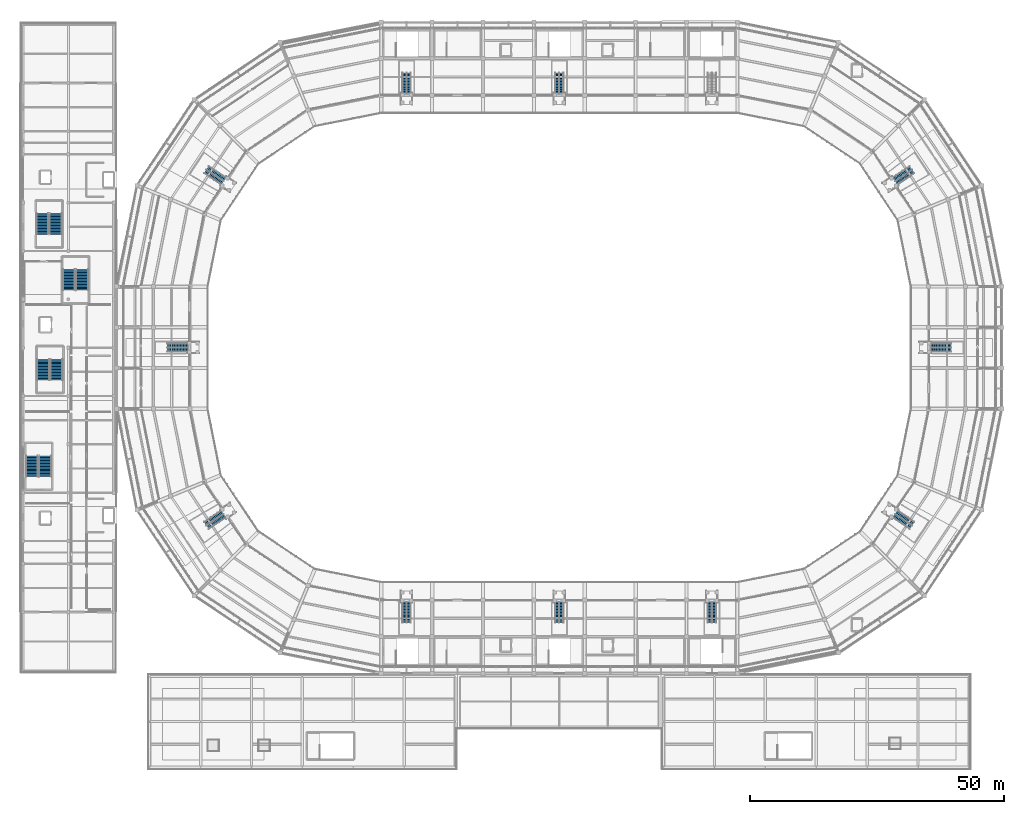
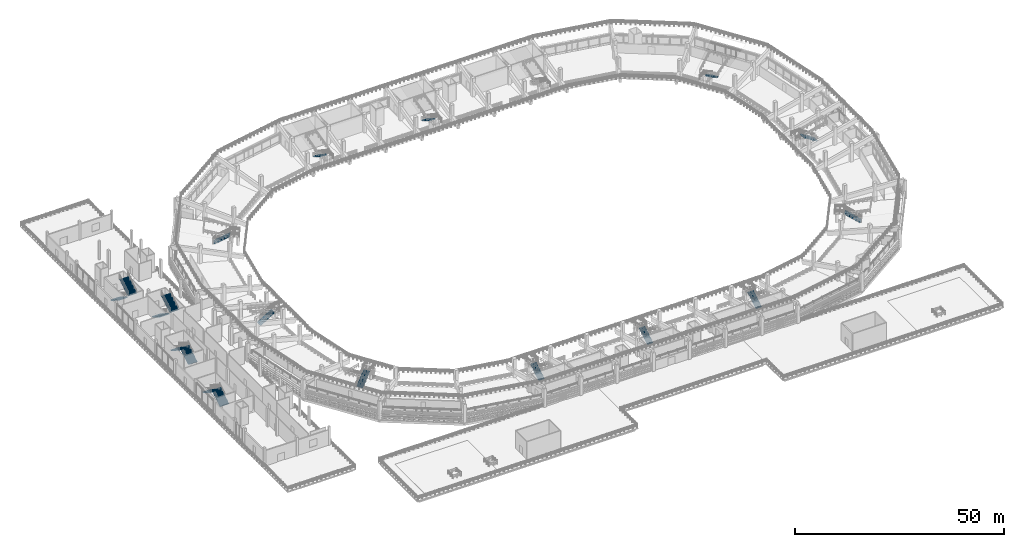
# One storey, part 69 of 96: 19 stair flights, 15 elements without a shape of their own.
"""IFC4 building model written with IfcOpenShell, lengths in metres."""

from ifc_helpers import new_model, si_unit, direction, frame, origin, place, context, subcontext, project, spatial, polyline, outline, extrude, material, type_object, element, aggregate, save


model = new_model("IFC4")

# Units and contexts
model_context = context("Model", 3, precision=1e-05, world=origin(), true_north=direction((0.0, 1.0)))
body_context = subcontext(model_context, "Body", "Model", "MODEL_VIEW")
ifc_project = project(units=[si_unit("LENGTHUNIT", "METRE"), si_unit("AREAUNIT", "SQUARE_METRE"), si_unit("VOLUMEUNIT", "CUBIC_METRE"), si_unit("PLANEANGLEUNIT", "RADIAN"), si_unit("MASSUNIT", "GRAM", prefix="KILO")], contexts=[model_context])

# Site, building, storey
site_placement = place(None, origin())
site = spatial("IfcSite", under=ifc_project, at=site_placement, CompositionType="ELEMENT")
building_placement = place(site_placement, origin())
building = spatial("IfcBuilding", under=site, at=building_placement, Name="Candeia Ridge Stadium", CompositionType="ELEMENT")
storey_placement = place(building_placement, frame((0.0, 0.0, 21.60009765625)))
storey = spatial("IfcBuildingStorey", under=building, at=storey_placement, Name="L04", CompositionType="ELEMENT", Elevation=21.60009765625)

# Stair, stair flights
ifc_material_1 = material(Name="Concrete C40/50", Category="concrete")
stair_type_1 = type_object("IfcStairType", Name="Enclosed Core Half-Turn Stair 2450", PredefinedType="HALF_TURN_STAIR", material=ifc_material_1)
stair_1_placement = place(storey_placement, origin())
stair_1 = element("IfcStair", 1, at=stair_1_placement, inside=storey, type_object=stair_type_1, Name="L04 Enclosed exit stair ST05", PredefinedType="HALF_TURN_STAIR")
ifc_material_2 = material(Name="Precast concrete C40/50", Category="concrete")
stair_flight_type_1 = type_object("IfcStairFlightType", Name="Core Precast Stair Flight 2450", PredefinedType="STRAIGHT", material=ifc_material_2)
stair_flight_1_placement = place(storey_placement, frame((4.97509765625, 57.64990234375, 0.0), z_axis=(0.0, 0.0, 1.0), x_axis=(0.0, 1.0, 0.0)))
stair_flight_1 = element("IfcStairFlight", 2, at=stair_flight_1_placement, type_object=stair_flight_type_1, Name="ST05 flight 1", NumberOfRisers=15, NumberOfTreads=14, PredefinedType="STRAIGHT", RiserHeight=0.18, TreadLength=0.29, context=body_context, shape_type="SweptSolid", body=[
    extrude(outline(polyline([(0.0, 0.0), (0.0, 0.179931640625), (0.2900390625, 0.179931640625), (0.2900390625, 0.360107421875), (0.580078125, 0.360107421875), (0.580078125, 0.5400390625), (0.8701171875, 0.5400390625), (0.8701171875, 0.719970703125), (1.159912109375, 0.719970703125), (1.159912109375, 0.89990234375), (1.449951171875, 0.89990234375), (1.449951171875, 1.080078125), (1.739990234375, 1.080078125), (1.739990234375, 1.260009765625), (2.030029296875, 1.260009765625), (2.030029296875, 1.43994140625), (2.320068359375, 1.43994140625), (2.320068359375, 1.6201171875), (2.610107421875, 1.6201171875), (2.610107421875, 1.800048828125), (2.89990234375, 1.800048828125), (2.89990234375, 1.97998046875), (3.18994140625, 1.97998046875), (3.18994140625, 2.159912109375), (3.47998046875, 2.159912109375), (3.47998046875, 2.340087890625), (3.77001953125, 2.340087890625), (3.77001953125, 2.52001953125), (4.06005859375, 2.52001953125), (4.06005859375, 2.699951171875), (4.06005859375, 2.331787109375), (0.30322265625, 0.0), (0.0, 0.0)])), frame((0.0, 1.22509765625, 0.0), z_axis=(0.0, -1.0, 0.0), x_axis=(1.0, 0.0, 0.0)), (0.0, 0.0, 1.0), 2.449951171875),
])
stair_flight_2_placement = place(storey_placement, frame((2.375, 61.7099609375, 2.699951171875), z_axis=(0.0, 0.0, 1.0), x_axis=(0.0, -1.0, 0.0)))
stair_flight_2 = element("IfcStairFlight", 3, at=stair_flight_2_placement, type_object=stair_flight_type_1, Name="ST05 flight 2", NumberOfRisers=15, NumberOfTreads=14, PredefinedType="STRAIGHT", RiserHeight=0.18, TreadLength=0.29, context=body_context, shape_type="SweptSolid", body=[
    extrude(outline(polyline([(0.0, 0.0), (0.0, 0.179931640625), (0.2900390625, 0.179931640625), (0.2900390625, 0.360107421875), (0.580078125, 0.360107421875), (0.580078125, 0.5400390625), (0.8701171875, 0.5400390625), (0.8701171875, 0.719970703125), (1.159912109375, 0.719970703125), (1.159912109375, 0.89990234375), (1.449951171875, 0.89990234375), (1.449951171875, 1.080078125), (1.739990234375, 1.080078125), (1.739990234375, 1.260009765625), (2.030029296875, 1.260009765625), (2.030029296875, 1.43994140625), (2.320068359375, 1.43994140625), (2.320068359375, 1.6201171875), (2.610107421875, 1.6201171875), (2.610107421875, 1.800048828125), (2.89990234375, 1.800048828125), (2.89990234375, 1.97998046875), (3.18994140625, 1.97998046875), (3.18994140625, 2.159912109375), (3.47998046875, 2.159912109375), (3.47998046875, 2.340087890625), (3.77001953125, 2.340087890625), (3.77001953125, 2.52001953125), (4.06005859375, 2.52001953125), (4.06005859375, 2.699951171875), (4.06005859375, 2.331787109375), (0.30322265625, 0.0), (0.0, 0.0)])), frame((0.0, 1.22509765625, 0.0), z_axis=(0.0, -1.0, 0.0), x_axis=(1.0, 0.0, 0.0)), (0.0, 0.0, 1.0), 2.449951171875),
])
aggregate(stair_1, [stair_flight_1, stair_flight_2])

stair_2_placement = place(storey_placement, origin())
stair_2 = element("IfcStair", 4, at=stair_2_placement, inside=storey, type_object=stair_type_1, Name="L04 Enclosed exit stair ST06", PredefinedType="HALF_TURN_STAIR")
stair_flight_3_placement = place(storey_placement, frame((4.425048828125, 109.35009765625, 0.0), z_axis=(0.0, 0.0, 1.0), x_axis=(0.0, -1.0, 0.0)))
stair_flight_3 = element("IfcStairFlight", 5, at=stair_flight_3_placement, type_object=stair_flight_type_1, Name="ST06 flight 1", NumberOfRisers=15, NumberOfTreads=14, PredefinedType="STRAIGHT", RiserHeight=0.18, TreadLength=0.29, context=body_context, shape_type="SweptSolid", body=[
    extrude(outline(polyline([(0.0, 0.0), (0.0, 0.179931640625), (0.2900390625, 0.179931640625), (0.2900390625, 0.360107421875), (0.580078125, 0.360107421875), (0.580078125, 0.5400390625), (0.8701171875, 0.5400390625), (0.8701171875, 0.719970703125), (1.159912109375, 0.719970703125), (1.159912109375, 0.89990234375), (1.449951171875, 0.89990234375), (1.449951171875, 1.080078125), (1.739990234375, 1.080078125), (1.739990234375, 1.260009765625), (2.030029296875, 1.260009765625), (2.030029296875, 1.43994140625), (2.320068359375, 1.43994140625), (2.320068359375, 1.6201171875), (2.610107421875, 1.6201171875), (2.610107421875, 1.800048828125), (2.89990234375, 1.800048828125), (2.89990234375, 1.97998046875), (3.18994140625, 1.97998046875), (3.18994140625, 2.159912109375), (3.47998046875, 2.159912109375), (3.47998046875, 2.340087890625), (3.77001953125, 2.340087890625), (3.77001953125, 2.52001953125), (4.06005859375, 2.52001953125), (4.06005859375, 2.699951171875), (4.06005859375, 2.331787109375), (0.30322265625, 0.0), (0.0, 0.0)])), frame((0.0, 1.22509765625, 0.0), z_axis=(0.0, -1.0, 0.0), x_axis=(1.0, 0.0, 0.0)), (0.0, 0.0, 1.0), 2.449951171875),
])
stair_flight_4_placement = place(storey_placement, frame((7.02490234375, 105.2900390625, 2.699951171875), z_axis=(0.0, 0.0, 1.0), x_axis=(0.0, 1.0, 0.0)))
stair_flight_4 = element("IfcStairFlight", 6, at=stair_flight_4_placement, type_object=stair_flight_type_1, Name="ST06 flight 2", NumberOfRisers=15, NumberOfTreads=14, PredefinedType="STRAIGHT", RiserHeight=0.18, TreadLength=0.29, context=body_context, shape_type="SweptSolid", body=[
    extrude(outline(polyline([(0.0, 0.0), (0.0, 0.179931640625), (0.2900390625, 0.179931640625), (0.2900390625, 0.360107421875), (0.580078125, 0.360107421875), (0.580078125, 0.5400390625), (0.8701171875, 0.5400390625), (0.8701171875, 0.719970703125), (1.159912109375, 0.719970703125), (1.159912109375, 0.89990234375), (1.449951171875, 0.89990234375), (1.449951171875, 1.080078125), (1.739990234375, 1.080078125), (1.739990234375, 1.260009765625), (2.030029296875, 1.260009765625), (2.030029296875, 1.43994140625), (2.320068359375, 1.43994140625), (2.320068359375, 1.6201171875), (2.610107421875, 1.6201171875), (2.610107421875, 1.800048828125), (2.89990234375, 1.800048828125), (2.89990234375, 1.97998046875), (3.18994140625, 1.97998046875), (3.18994140625, 2.159912109375), (3.47998046875, 2.159912109375), (3.47998046875, 2.340087890625), (3.77001953125, 2.340087890625), (3.77001953125, 2.52001953125), (4.06005859375, 2.52001953125), (4.06005859375, 2.699951171875), (4.06005859375, 2.331787109375), (0.30322265625, 0.0), (0.0, 0.0)])), frame((0.0, 1.22509765625, 0.0), z_axis=(0.0, -1.0, 0.0), x_axis=(1.0, 0.0, 0.0)), (0.0, 0.0, 1.0), 2.449951171875),
])
aggregate(stair_2, [stair_flight_3, stair_flight_4])

stair_3_placement = place(storey_placement, origin())
stair_3 = element("IfcStair", 7, at=stair_3_placement, inside=storey, type_object=stair_type_1, Name="L04 Enclosed exit stair ST07", PredefinedType="HALF_TURN_STAIR")
stair_flight_5_placement = place(storey_placement, frame((7.175048828125, 76.64990234375, 0.0), z_axis=(0.0, 0.0, 1.0), x_axis=(0.0, 1.0, 0.0)))
stair_flight_5 = element("IfcStairFlight", 8, at=stair_flight_5_placement, type_object=stair_flight_type_1, Name="ST07 flight 1", NumberOfRisers=15, NumberOfTreads=14, PredefinedType="STRAIGHT", RiserHeight=0.18, TreadLength=0.29, context=body_context, shape_type="SweptSolid", body=[
    extrude(outline(polyline([(0.0, 0.0), (0.0, 0.179931640625), (0.2900390625, 0.179931640625), (0.2900390625, 0.360107421875), (0.580078125, 0.360107421875), (0.580078125, 0.5400390625), (0.8701171875, 0.5400390625), (0.8701171875, 0.719970703125), (1.159912109375, 0.719970703125), (1.159912109375, 0.89990234375), (1.449951171875, 0.89990234375), (1.449951171875, 1.080078125), (1.739990234375, 1.080078125), (1.739990234375, 1.260009765625), (2.030029296875, 1.260009765625), (2.030029296875, 1.43994140625), (2.320068359375, 1.43994140625), (2.320068359375, 1.6201171875), (2.610107421875, 1.6201171875), (2.610107421875, 1.800048828125), (2.89990234375, 1.800048828125), (2.89990234375, 1.97998046875), (3.18994140625, 1.97998046875), (3.18994140625, 2.159912109375), (3.47998046875, 2.159912109375), (3.47998046875, 2.340087890625), (3.77001953125, 2.340087890625), (3.77001953125, 2.52001953125), (4.06005859375, 2.52001953125), (4.06005859375, 2.699951171875), (4.06005859375, 2.331787109375), (0.30322265625, 0.0), (0.0, 0.0)])), frame((0.0, 1.22509765625, 0.0), z_axis=(0.0, -1.0, 0.0), x_axis=(1.0, 0.0, 0.0)), (0.0, 0.0, 1.0), 2.449951171875),
])
stair_flight_6_placement = place(storey_placement, frame((4.574951171875, 80.7099609375, 2.699951171875), z_axis=(0.0, 0.0, 1.0), x_axis=(0.0, -1.0, 0.0)))
stair_flight_6 = element("IfcStairFlight", 9, at=stair_flight_6_placement, type_object=stair_flight_type_1, Name="ST07 flight 2", NumberOfRisers=15, NumberOfTreads=14, PredefinedType="STRAIGHT", RiserHeight=0.18, TreadLength=0.29, context=body_context, shape_type="SweptSolid", body=[
    extrude(outline(polyline([(0.0, 0.0), (0.0, 0.179931640625), (0.2900390625, 0.179931640625), (0.2900390625, 0.360107421875), (0.580078125, 0.360107421875), (0.580078125, 0.5400390625), (0.8701171875, 0.5400390625), (0.8701171875, 0.719970703125), (1.159912109375, 0.719970703125), (1.159912109375, 0.89990234375), (1.449951171875, 0.89990234375), (1.449951171875, 1.080078125), (1.739990234375, 1.080078125), (1.739990234375, 1.260009765625), (2.030029296875, 1.260009765625), (2.030029296875, 1.43994140625), (2.320068359375, 1.43994140625), (2.320068359375, 1.6201171875), (2.610107421875, 1.6201171875), (2.610107421875, 1.800048828125), (2.89990234375, 1.800048828125), (2.89990234375, 1.97998046875), (3.18994140625, 1.97998046875), (3.18994140625, 2.159912109375), (3.47998046875, 2.159912109375), (3.47998046875, 2.340087890625), (3.77001953125, 2.340087890625), (3.77001953125, 2.52001953125), (4.06005859375, 2.52001953125), (4.06005859375, 2.699951171875), (4.06005859375, 2.331787109375), (0.30322265625, 0.0), (0.0, 0.0)])), frame((0.0, 1.22509765625, 0.0), z_axis=(0.0, -1.0, 0.0), x_axis=(1.0, 0.0, 0.0)), (0.0, 0.0, 1.0), 2.449951171875),
])
aggregate(stair_3, [stair_flight_5, stair_flight_6])

stair_4_placement = place(storey_placement, origin())
stair_4 = element("IfcStair", 10, at=stair_4_placement, inside=storey, type_object=stair_type_1, Name="L04 Enclosed exit stair ST08", PredefinedType="HALF_TURN_STAIR")
stair_flight_7_placement = place(storey_placement, frame((9.625, 98.35009765625, 0.0), z_axis=(0.0, 0.0, 1.0), x_axis=(0.0, -1.0, 0.0)))
stair_flight_7 = element("IfcStairFlight", 11, at=stair_flight_7_placement, type_object=stair_flight_type_1, Name="ST08 flight 1", NumberOfRisers=15, NumberOfTreads=14, PredefinedType="STRAIGHT", RiserHeight=0.18, TreadLength=0.29, context=body_context, shape_type="SweptSolid", body=[
    extrude(outline(polyline([(0.0, 0.0), (0.0, 0.179931640625), (0.2900390625, 0.179931640625), (0.2900390625, 0.360107421875), (0.580078125, 0.360107421875), (0.580078125, 0.5400390625), (0.8701171875, 0.5400390625), (0.8701171875, 0.719970703125), (1.159912109375, 0.719970703125), (1.159912109375, 0.89990234375), (1.449951171875, 0.89990234375), (1.449951171875, 1.080078125), (1.739990234375, 1.080078125), (1.739990234375, 1.260009765625), (2.030029296875, 1.260009765625), (2.030029296875, 1.43994140625), (2.320068359375, 1.43994140625), (2.320068359375, 1.6201171875), (2.610107421875, 1.6201171875), (2.610107421875, 1.800048828125), (2.89990234375, 1.800048828125), (2.89990234375, 1.97998046875), (3.18994140625, 1.97998046875), (3.18994140625, 2.159912109375), (3.47998046875, 2.159912109375), (3.47998046875, 2.340087890625), (3.77001953125, 2.340087890625), (3.77001953125, 2.52001953125), (4.06005859375, 2.52001953125), (4.06005859375, 2.699951171875), (4.06005859375, 2.331787109375), (0.30322265625, 0.0), (0.0, 0.0)])), frame((0.0, 1.22509765625, 0.0), z_axis=(0.0, -1.0, 0.0), x_axis=(1.0, 0.0, 0.0)), (0.0, 0.0, 1.0), 2.449951171875),
])
stair_flight_8_placement = place(storey_placement, frame((12.22509765625, 94.2900390625, 2.699951171875), z_axis=(0.0, 0.0, 1.0), x_axis=(0.0, 1.0, 0.0)))
stair_flight_8 = element("IfcStairFlight", 12, at=stair_flight_8_placement, type_object=stair_flight_type_1, Name="ST08 flight 2", NumberOfRisers=15, NumberOfTreads=14, PredefinedType="STRAIGHT", RiserHeight=0.18, TreadLength=0.29, context=body_context, shape_type="SweptSolid", body=[
    extrude(outline(polyline([(0.0, 0.0), (0.0, 0.179931640625), (0.2900390625, 0.179931640625), (0.2900390625, 0.360107421875), (0.580078125, 0.360107421875), (0.580078125, 0.5400390625), (0.8701171875, 0.5400390625), (0.8701171875, 0.719970703125), (1.159912109375, 0.719970703125), (1.159912109375, 0.89990234375), (1.449951171875, 0.89990234375), (1.449951171875, 1.080078125), (1.739990234375, 1.080078125), (1.739990234375, 1.260009765625), (2.030029296875, 1.260009765625), (2.030029296875, 1.43994140625), (2.320068359375, 1.43994140625), (2.320068359375, 1.6201171875), (2.610107421875, 1.6201171875), (2.610107421875, 1.800048828125), (2.89990234375, 1.800048828125), (2.89990234375, 1.97998046875), (3.18994140625, 1.97998046875), (3.18994140625, 2.159912109375), (3.47998046875, 2.159912109375), (3.47998046875, 2.340087890625), (3.77001953125, 2.340087890625), (3.77001953125, 2.52001953125), (4.06005859375, 2.52001953125), (4.06005859375, 2.699951171875), (4.06005859375, 2.331787109375), (0.30322265625, 0.0), (0.0, 0.0)])), frame((0.0, 1.22509765625, 0.0), z_axis=(0.0, -1.0, 0.0), x_axis=(1.0, 0.0, 0.0)), (0.0, 0.0, 1.0), 2.449951171875),
])
aggregate(stair_4, [stair_flight_7, stair_flight_8])

# Stair, stair flight
ifc_material_3 = material(Name="Precast concrete C45/55", Category="concrete")
stair_type_2 = type_object("IfcStairType", Name="Spectator Vomitory Straight Stair 2200", PredefinedType="STRAIGHT_RUN_STAIR", material=ifc_material_3)
stair_5_placement = place(storey_placement, origin())
stair_5 = element("IfcStair", 13, at=stair_5_placement, inside=storey, type_object=stair_type_2, Name="Vomitory stair VS26", PredefinedType="STRAIGHT_RUN_STAIR")
stair_flight_type_2 = type_object("IfcStairFlightType", Name="Vomitory Precast Stair Flight 2200", PredefinedType="STRAIGHT", material=ifc_material_3)
stair_flight_9_placement = place(storey_placement, frame((106.0, 137.02197265625, 0.0), z_axis=(0.0, 0.0, 1.0), x_axis=(0.0, -1.0, 0.0)))
stair_flight_9 = element("IfcStairFlight", 14, at=stair_flight_9_placement, type_object=stair_flight_type_2, Name="VS26 flight 1", NumberOfRisers=15, NumberOfTreads=14, PredefinedType="STRAIGHT", RiserHeight=0.1796, TreadLength=0.285, context=body_context, shape_type="SweptSolid", body=[
    extrude(outline(polyline([(0.0, 0.0), (0.0, 0.1796875), (0.284912109375, 0.1796875), (0.284912109375, 0.359130859375), (0.570068359375, 0.359130859375), (0.570068359375, 0.538818359375), (0.85498046875, 0.538818359375), (0.85498046875, 0.718505859375), (1.139892578125, 0.718505859375), (1.139892578125, 0.89794921875), (1.425048828125, 0.89794921875), (1.425048828125, 1.07763671875), (1.7099609375, 1.07763671875), (1.7099609375, 1.257080078125), (1.9951171875, 1.257080078125), (1.9951171875, 1.436767578125), (2.280029296875, 1.436767578125), (2.280029296875, 1.616455078125), (2.56494140625, 1.616455078125), (2.56494140625, 1.7958984375), (2.85009765625, 1.7958984375), (2.85009765625, 1.9755859375), (3.135009765625, 1.9755859375), (3.135009765625, 2.1552734375), (3.419921875, 2.1552734375), (3.419921875, 2.334716796875), (3.705078125, 2.334716796875), (3.705078125, 2.514404296875), (3.989990234375, 2.514404296875), (3.989990234375, 2.694091796875), (3.989990234375, 2.3017578125), (0.33740234375, 0.0), (0.0, 0.0)])), frame((0.0, 0.800048828125, 0.0), z_axis=(0.0, -1.0, 0.0), x_axis=(1.0, 0.0, 0.0)), (0.0, 0.0, 1.0), 1.60009765625),
])
aggregate(stair_5, [stair_flight_9])

stair_6_placement = place(storey_placement, origin())
stair_6 = element("IfcStair", 15, at=stair_6_placement, inside=storey, type_object=stair_type_2, Name="Vomitory stair VS27", PredefinedType="STRAIGHT_RUN_STAIR")
stair_flight_10_placement = place(storey_placement, frame((76.0, 137.02197265625, 0.0), z_axis=(0.0, 0.0, 1.0), x_axis=(0.0, -1.0, 0.0)))
stair_flight_10 = element("IfcStairFlight", 16, at=stair_flight_10_placement, type_object=stair_flight_type_2, Name="VS27 flight 1", NumberOfRisers=15, NumberOfTreads=14, PredefinedType="STRAIGHT", RiserHeight=0.1796, TreadLength=0.285, context=body_context, shape_type="SweptSolid", body=[
    extrude(outline(polyline([(0.0, 0.0), (0.0, 0.1796875), (0.284912109375, 0.1796875), (0.284912109375, 0.359130859375), (0.570068359375, 0.359130859375), (0.570068359375, 0.538818359375), (0.85498046875, 0.538818359375), (0.85498046875, 0.718505859375), (1.139892578125, 0.718505859375), (1.139892578125, 0.89794921875), (1.425048828125, 0.89794921875), (1.425048828125, 1.07763671875), (1.7099609375, 1.07763671875), (1.7099609375, 1.257080078125), (1.9951171875, 1.257080078125), (1.9951171875, 1.436767578125), (2.280029296875, 1.436767578125), (2.280029296875, 1.616455078125), (2.56494140625, 1.616455078125), (2.56494140625, 1.7958984375), (2.85009765625, 1.7958984375), (2.85009765625, 1.9755859375), (3.135009765625, 1.9755859375), (3.135009765625, 2.1552734375), (3.419921875, 2.1552734375), (3.419921875, 2.334716796875), (3.705078125, 2.334716796875), (3.705078125, 2.514404296875), (3.989990234375, 2.514404296875), (3.989990234375, 2.694091796875), (3.989990234375, 2.3017578125), (0.33740234375, 0.0), (0.0, 0.0)])), frame((0.0, 0.800048828125, 0.0), z_axis=(0.0, -1.0, 0.0), x_axis=(1.0, 0.0, 0.0)), (0.0, 0.0, 1.0), 1.60009765625),
])
aggregate(stair_6, [stair_flight_10])

stair_7_placement = place(storey_placement, origin())
stair_7 = element("IfcStair", 17, at=stair_7_placement, inside=storey, type_object=stair_type_2, Name="Vomitory stair VS28", PredefinedType="STRAIGHT_RUN_STAIR")
stair_flight_11_placement = place(storey_placement, frame((36.66748046875, 117.940185546875, 0.0), z_axis=(0.0, 0.0, 1.0), x_axis=(0.831469612303, -0.55557023302, 0.0)))
stair_flight_11 = element("IfcStairFlight", 18, at=stair_flight_11_placement, type_object=stair_flight_type_2, Name="VS28 flight 1", NumberOfRisers=15, NumberOfTreads=14, PredefinedType="STRAIGHT", RiserHeight=0.1796, TreadLength=0.285, context=body_context, shape_type="SweptSolid", body=[
    extrude(outline(polyline([(0.0, 0.0), (0.0, 0.1796875), (0.284912109375, 0.1796875), (0.284912109375, 0.359130859375), (0.570068359375, 0.359130859375), (0.570068359375, 0.538818359375), (0.85498046875, 0.538818359375), (0.85498046875, 0.718505859375), (1.139892578125, 0.718505859375), (1.139892578125, 0.89794921875), (1.425048828125, 0.89794921875), (1.425048828125, 1.07763671875), (1.7099609375, 1.07763671875), (1.7099609375, 1.257080078125), (1.9951171875, 1.257080078125), (1.9951171875, 1.436767578125), (2.280029296875, 1.436767578125), (2.280029296875, 1.616455078125), (2.56494140625, 1.616455078125), (2.56494140625, 1.7958984375), (2.85009765625, 1.7958984375), (2.85009765625, 1.9755859375), (3.135009765625, 1.9755859375), (3.135009765625, 2.1552734375), (3.419921875, 2.1552734375), (3.419921875, 2.334716796875), (3.705078125, 2.334716796875), (3.705078125, 2.514404296875), (3.989990234375, 2.514404296875), (3.989990234375, 2.694091796875), (3.989990234375, 2.3017578125), (0.33740234375, 0.0), (0.0, 0.0)])), frame((0.0, 0.800048828125, 0.0), z_axis=(0.0, -1.0, 0.0), x_axis=(1.0, 0.0, 0.0)), (0.0, 0.0, 1.0), 1.60009765625),
])
aggregate(stair_7, [stair_flight_11])

stair_8_placement = place(storey_placement, origin())
stair_8 = element("IfcStair", 19, at=stair_8_placement, inside=storey, type_object=stair_type_2, Name="Vomitory stair VS29", PredefinedType="STRAIGHT_RUN_STAIR")
stair_flight_12_placement = place(storey_placement, frame((28.97802734375, 83.0, 0.0), z_axis=(0.0, 0.0, 1.0), x_axis=(1.0, 0.0, 0.0)))
stair_flight_12 = element("IfcStairFlight", 20, at=stair_flight_12_placement, type_object=stair_flight_type_2, Name="VS29 flight 1", NumberOfRisers=15, NumberOfTreads=14, PredefinedType="STRAIGHT", RiserHeight=0.1796, TreadLength=0.285, context=body_context, shape_type="SweptSolid", body=[
    extrude(outline(polyline([(0.0, 0.0), (0.0, 0.1796875), (0.284912109375, 0.1796875), (0.284912109375, 0.359130859375), (0.570068359375, 0.359130859375), (0.570068359375, 0.538818359375), (0.85498046875, 0.538818359375), (0.85498046875, 0.718505859375), (1.139892578125, 0.718505859375), (1.139892578125, 0.89794921875), (1.425048828125, 0.89794921875), (1.425048828125, 1.07763671875), (1.7099609375, 1.07763671875), (1.7099609375, 1.257080078125), (1.9951171875, 1.257080078125), (1.9951171875, 1.436767578125), (2.280029296875, 1.436767578125), (2.280029296875, 1.616455078125), (2.56494140625, 1.616455078125), (2.56494140625, 1.7958984375), (2.85009765625, 1.7958984375), (2.85009765625, 1.9755859375), (3.135009765625, 1.9755859375), (3.135009765625, 2.1552734375), (3.419921875, 2.1552734375), (3.419921875, 2.334716796875), (3.705078125, 2.334716796875), (3.705078125, 2.514404296875), (3.989990234375, 2.514404296875), (3.989990234375, 2.694091796875), (3.989990234375, 2.3017578125), (0.33740234375, 0.0), (0.0, 0.0)])), frame((0.0, 0.800048828125, 0.0), z_axis=(0.0, -1.0, 0.0), x_axis=(1.0, 0.0, 0.0)), (0.0, 0.0, 1.0), 1.60009765625),
])
aggregate(stair_8, [stair_flight_12])

stair_9_placement = place(storey_placement, origin())
stair_9 = element("IfcStair", 21, at=stair_9_placement, inside=storey, type_object=stair_type_2, Name="Vomitory stair VS30", PredefinedType="STRAIGHT_RUN_STAIR")
stair_flight_13_placement = place(storey_placement, frame((36.66748046875, 48.059814453125, 0.0), z_axis=(0.0, 0.0, 1.0), x_axis=(0.831469612303, 0.55557023302, 0.0)))
stair_flight_13 = element("IfcStairFlight", 22, at=stair_flight_13_placement, type_object=stair_flight_type_2, Name="VS30 flight 1", NumberOfRisers=15, NumberOfTreads=14, PredefinedType="STRAIGHT", RiserHeight=0.1796, TreadLength=0.285, context=body_context, shape_type="SweptSolid", body=[
    extrude(outline(polyline([(0.0, 0.0), (0.0, 0.1796875), (0.284912109375, 0.1796875), (0.284912109375, 0.359130859375), (0.570068359375, 0.359130859375), (0.570068359375, 0.538818359375), (0.85498046875, 0.538818359375), (0.85498046875, 0.718505859375), (1.139892578125, 0.718505859375), (1.139892578125, 0.89794921875), (1.425048828125, 0.89794921875), (1.425048828125, 1.07763671875), (1.7099609375, 1.07763671875), (1.7099609375, 1.257080078125), (1.9951171875, 1.257080078125), (1.9951171875, 1.436767578125), (2.280029296875, 1.436767578125), (2.280029296875, 1.616455078125), (2.56494140625, 1.616455078125), (2.56494140625, 1.7958984375), (2.85009765625, 1.7958984375), (2.85009765625, 1.9755859375), (3.135009765625, 1.9755859375), (3.135009765625, 2.1552734375), (3.419921875, 2.1552734375), (3.419921875, 2.334716796875), (3.705078125, 2.334716796875), (3.705078125, 2.514404296875), (3.989990234375, 2.514404296875), (3.989990234375, 2.694091796875), (3.989990234375, 2.3017578125), (0.33740234375, 0.0), (0.0, 0.0)])), frame((0.0, 0.800048828125, 0.0), z_axis=(0.0, -1.0, 0.0), x_axis=(1.0, 0.0, 0.0)), (0.0, 0.0, 1.0), 1.60009765625),
])
aggregate(stair_9, [stair_flight_13])

stair_10_placement = place(storey_placement, origin())
stair_10 = element("IfcStair", 23, at=stair_10_placement, inside=storey, type_object=stair_type_2, Name="Vomitory stair VS31", PredefinedType="STRAIGHT_RUN_STAIR")
stair_flight_14_placement = place(storey_placement, frame((76.0, 28.97802734375, 0.0), z_axis=(0.0, 0.0, 1.0), x_axis=(0.0, 1.0, 0.0)))
stair_flight_14 = element("IfcStairFlight", 24, at=stair_flight_14_placement, type_object=stair_flight_type_2, Name="VS31 flight 1", NumberOfRisers=15, NumberOfTreads=14, PredefinedType="STRAIGHT", RiserHeight=0.1796, TreadLength=0.285, context=body_context, shape_type="SweptSolid", body=[
    extrude(outline(polyline([(0.0, 0.0), (0.0, 0.1796875), (0.284912109375, 0.1796875), (0.284912109375, 0.359130859375), (0.570068359375, 0.359130859375), (0.570068359375, 0.538818359375), (0.85498046875, 0.538818359375), (0.85498046875, 0.718505859375), (1.139892578125, 0.718505859375), (1.139892578125, 0.89794921875), (1.425048828125, 0.89794921875), (1.425048828125, 1.07763671875), (1.7099609375, 1.07763671875), (1.7099609375, 1.257080078125), (1.9951171875, 1.257080078125), (1.9951171875, 1.436767578125), (2.280029296875, 1.436767578125), (2.280029296875, 1.616455078125), (2.56494140625, 1.616455078125), (2.56494140625, 1.7958984375), (2.85009765625, 1.7958984375), (2.85009765625, 1.9755859375), (3.135009765625, 1.9755859375), (3.135009765625, 2.1552734375), (3.419921875, 2.1552734375), (3.419921875, 2.334716796875), (3.705078125, 2.334716796875), (3.705078125, 2.514404296875), (3.989990234375, 2.514404296875), (3.989990234375, 2.694091796875), (3.989990234375, 2.3017578125), (0.33740234375, 0.0), (0.0, 0.0)])), frame((0.0, 0.800048828125, 0.0), z_axis=(0.0, -1.0, 0.0), x_axis=(1.0, 0.0, 0.0)), (0.0, 0.0, 1.0), 1.60009765625),
])
aggregate(stair_10, [stair_flight_14])

stair_11_placement = place(storey_placement, origin())
stair_11 = element("IfcStair", 25, at=stair_11_placement, inside=storey, type_object=stair_type_2, Name="Vomitory stair VS32", PredefinedType="STRAIGHT_RUN_STAIR")
stair_flight_15_placement = place(storey_placement, frame((106.0, 28.97802734375, 0.0), z_axis=(0.0, 0.0, 1.0), x_axis=(0.0, 1.0, 0.0)))
stair_flight_15 = element("IfcStairFlight", 26, at=stair_flight_15_placement, type_object=stair_flight_type_2, Name="VS32 flight 1", NumberOfRisers=15, NumberOfTreads=14, PredefinedType="STRAIGHT", RiserHeight=0.1796, TreadLength=0.285, context=body_context, shape_type="SweptSolid", body=[
    extrude(outline(polyline([(0.0, 0.0), (0.0, 0.1796875), (0.284912109375, 0.1796875), (0.284912109375, 0.359130859375), (0.570068359375, 0.359130859375), (0.570068359375, 0.538818359375), (0.85498046875, 0.538818359375), (0.85498046875, 0.718505859375), (1.139892578125, 0.718505859375), (1.139892578125, 0.89794921875), (1.425048828125, 0.89794921875), (1.425048828125, 1.07763671875), (1.7099609375, 1.07763671875), (1.7099609375, 1.257080078125), (1.9951171875, 1.257080078125), (1.9951171875, 1.436767578125), (2.280029296875, 1.436767578125), (2.280029296875, 1.616455078125), (2.56494140625, 1.616455078125), (2.56494140625, 1.7958984375), (2.85009765625, 1.7958984375), (2.85009765625, 1.9755859375), (3.135009765625, 1.9755859375), (3.135009765625, 2.1552734375), (3.419921875, 2.1552734375), (3.419921875, 2.334716796875), (3.705078125, 2.334716796875), (3.705078125, 2.514404296875), (3.989990234375, 2.514404296875), (3.989990234375, 2.694091796875), (3.989990234375, 2.3017578125), (0.33740234375, 0.0), (0.0, 0.0)])), frame((0.0, 0.800048828125, 0.0), z_axis=(0.0, -1.0, 0.0), x_axis=(1.0, 0.0, 0.0)), (0.0, 0.0, 1.0), 1.60009765625),
])
aggregate(stair_11, [stair_flight_15])

stair_12_placement = place(storey_placement, origin())
stair_12 = element("IfcStair", 27, at=stair_12_placement, inside=storey, type_object=stair_type_2, Name="Vomitory stair VS33", PredefinedType="STRAIGHT_RUN_STAIR")
stair_flight_16_placement = place(storey_placement, frame((136.0, 28.97802734375, 0.0), z_axis=(0.0, 0.0, 1.0), x_axis=(0.0, 1.0, 0.0)))
stair_flight_16 = element("IfcStairFlight", 28, at=stair_flight_16_placement, type_object=stair_flight_type_2, Name="VS33 flight 1", NumberOfRisers=15, NumberOfTreads=14, PredefinedType="STRAIGHT", RiserHeight=0.1796, TreadLength=0.285, context=body_context, shape_type="SweptSolid", body=[
    extrude(outline(polyline([(0.0, 0.0), (0.0, 0.1796875), (0.284912109375, 0.1796875), (0.284912109375, 0.359130859375), (0.570068359375, 0.359130859375), (0.570068359375, 0.538818359375), (0.85498046875, 0.538818359375), (0.85498046875, 0.718505859375), (1.139892578125, 0.718505859375), (1.139892578125, 0.89794921875), (1.425048828125, 0.89794921875), (1.425048828125, 1.07763671875), (1.7099609375, 1.07763671875), (1.7099609375, 1.257080078125), (1.9951171875, 1.257080078125), (1.9951171875, 1.436767578125), (2.280029296875, 1.436767578125), (2.280029296875, 1.616455078125), (2.56494140625, 1.616455078125), (2.56494140625, 1.7958984375), (2.85009765625, 1.7958984375), (2.85009765625, 1.9755859375), (3.135009765625, 1.9755859375), (3.135009765625, 2.1552734375), (3.419921875, 2.1552734375), (3.419921875, 2.334716796875), (3.705078125, 2.334716796875), (3.705078125, 2.514404296875), (3.989990234375, 2.514404296875), (3.989990234375, 2.694091796875), (3.989990234375, 2.3017578125), (0.33740234375, 0.0), (0.0, 0.0)])), frame((0.0, 0.800048828125, 0.0), z_axis=(0.0, -1.0, 0.0), x_axis=(1.0, 0.0, 0.0)), (0.0, 0.0, 1.0), 1.60009765625),
])
aggregate(stair_12, [stair_flight_16])

stair_13_placement = place(storey_placement, origin())
stair_13 = element("IfcStair", 29, at=stair_13_placement, inside=storey, type_object=stair_type_2, Name="Vomitory stair VS34", PredefinedType="STRAIGHT_RUN_STAIR")
stair_flight_17_placement = place(storey_placement, frame((175.33251953125, 48.059814453125, 0.0), z_axis=(0.0, 0.0, 1.0), x_axis=(-0.831469612303, 0.55557023302, 0.0)))
stair_flight_17 = element("IfcStairFlight", 30, at=stair_flight_17_placement, type_object=stair_flight_type_2, Name="VS34 flight 1", NumberOfRisers=15, NumberOfTreads=14, PredefinedType="STRAIGHT", RiserHeight=0.1796, TreadLength=0.285, context=body_context, shape_type="SweptSolid", body=[
    extrude(outline(polyline([(0.0, 0.0), (0.0, 0.1796875), (0.284912109375, 0.1796875), (0.284912109375, 0.359130859375), (0.570068359375, 0.359130859375), (0.570068359375, 0.538818359375), (0.85498046875, 0.538818359375), (0.85498046875, 0.718505859375), (1.139892578125, 0.718505859375), (1.139892578125, 0.89794921875), (1.425048828125, 0.89794921875), (1.425048828125, 1.07763671875), (1.7099609375, 1.07763671875), (1.7099609375, 1.257080078125), (1.9951171875, 1.257080078125), (1.9951171875, 1.436767578125), (2.280029296875, 1.436767578125), (2.280029296875, 1.616455078125), (2.56494140625, 1.616455078125), (2.56494140625, 1.7958984375), (2.85009765625, 1.7958984375), (2.85009765625, 1.9755859375), (3.135009765625, 1.9755859375), (3.135009765625, 2.1552734375), (3.419921875, 2.1552734375), (3.419921875, 2.334716796875), (3.705078125, 2.334716796875), (3.705078125, 2.514404296875), (3.989990234375, 2.514404296875), (3.989990234375, 2.694091796875), (3.989990234375, 2.3017578125), (0.33740234375, 0.0), (0.0, 0.0)])), frame((0.0, 0.800048828125, 0.0), z_axis=(0.0, -1.0, 0.0), x_axis=(1.0, 0.0, 0.0)), (0.0, 0.0, 1.0), 1.60009765625),
])
aggregate(stair_13, [stair_flight_17])

stair_14_placement = place(storey_placement, origin())
stair_14 = element("IfcStair", 31, at=stair_14_placement, inside=storey, type_object=stair_type_2, Name="Vomitory stair VS35", PredefinedType="STRAIGHT_RUN_STAIR")
stair_flight_18_placement = place(storey_placement, frame((183.02197265625, 83.0, 0.0), z_axis=(0.0, 0.0, 1.0), x_axis=(-1.0, 0.0, 0.0)))
stair_flight_18 = element("IfcStairFlight", 32, at=stair_flight_18_placement, type_object=stair_flight_type_2, Name="VS35 flight 1", NumberOfRisers=15, NumberOfTreads=14, PredefinedType="STRAIGHT", RiserHeight=0.1796, TreadLength=0.285, context=body_context, shape_type="SweptSolid", body=[
    extrude(outline(polyline([(0.0, 0.0), (0.0, 0.1796875), (0.284912109375, 0.1796875), (0.284912109375, 0.359130859375), (0.570068359375, 0.359130859375), (0.570068359375, 0.538818359375), (0.85498046875, 0.538818359375), (0.85498046875, 0.718505859375), (1.139892578125, 0.718505859375), (1.139892578125, 0.89794921875), (1.425048828125, 0.89794921875), (1.425048828125, 1.07763671875), (1.7099609375, 1.07763671875), (1.7099609375, 1.257080078125), (1.9951171875, 1.257080078125), (1.9951171875, 1.436767578125), (2.280029296875, 1.436767578125), (2.280029296875, 1.616455078125), (2.56494140625, 1.616455078125), (2.56494140625, 1.7958984375), (2.85009765625, 1.7958984375), (2.85009765625, 1.9755859375), (3.135009765625, 1.9755859375), (3.135009765625, 2.1552734375), (3.419921875, 2.1552734375), (3.419921875, 2.334716796875), (3.705078125, 2.334716796875), (3.705078125, 2.514404296875), (3.989990234375, 2.514404296875), (3.989990234375, 2.694091796875), (3.989990234375, 2.3017578125), (0.33740234375, 0.0), (0.0, 0.0)])), frame((0.0, 0.800048828125, 0.0), z_axis=(0.0, -1.0, 0.0), x_axis=(1.0, 0.0, 0.0)), (0.0, 0.0, 1.0), 1.60009765625),
])
aggregate(stair_14, [stair_flight_18])

stair_15_placement = place(storey_placement, origin())
stair_15 = element("IfcStair", 33, at=stair_15_placement, inside=storey, type_object=stair_type_2, Name="Vomitory stair VS36", PredefinedType="STRAIGHT_RUN_STAIR")
stair_flight_19_placement = place(storey_placement, frame((175.33251953125, 117.940185546875, 0.0), z_axis=(0.0, 0.0, 1.0), x_axis=(-0.831469612303, -0.55557023302, 0.0)))
stair_flight_19 = element("IfcStairFlight", 34, at=stair_flight_19_placement, type_object=stair_flight_type_2, Name="VS36 flight 1", NumberOfRisers=15, NumberOfTreads=14, PredefinedType="STRAIGHT", RiserHeight=0.1796, TreadLength=0.285, context=body_context, shape_type="SweptSolid", body=[
    extrude(outline(polyline([(0.0, 0.0), (0.0, 0.1796875), (0.284912109375, 0.1796875), (0.284912109375, 0.359130859375), (0.570068359375, 0.359130859375), (0.570068359375, 0.538818359375), (0.85498046875, 0.538818359375), (0.85498046875, 0.718505859375), (1.139892578125, 0.718505859375), (1.139892578125, 0.89794921875), (1.425048828125, 0.89794921875), (1.425048828125, 1.07763671875), (1.7099609375, 1.07763671875), (1.7099609375, 1.257080078125), (1.9951171875, 1.257080078125), (1.9951171875, 1.436767578125), (2.280029296875, 1.436767578125), (2.280029296875, 1.616455078125), (2.56494140625, 1.616455078125), (2.56494140625, 1.7958984375), (2.85009765625, 1.7958984375), (2.85009765625, 1.9755859375), (3.135009765625, 1.9755859375), (3.135009765625, 2.1552734375), (3.419921875, 2.1552734375), (3.419921875, 2.334716796875), (3.705078125, 2.334716796875), (3.705078125, 2.514404296875), (3.989990234375, 2.514404296875), (3.989990234375, 2.694091796875), (3.989990234375, 2.3017578125), (0.33740234375, 0.0), (0.0, 0.0)])), frame((0.0, 0.800048828125, 0.0), z_axis=(0.0, -1.0, 0.0), x_axis=(1.0, 0.0, 0.0)), (0.0, 0.0, 1.0), 1.60009765625),
])
aggregate(stair_15, [stair_flight_19])

save(model, "model.ifc")
